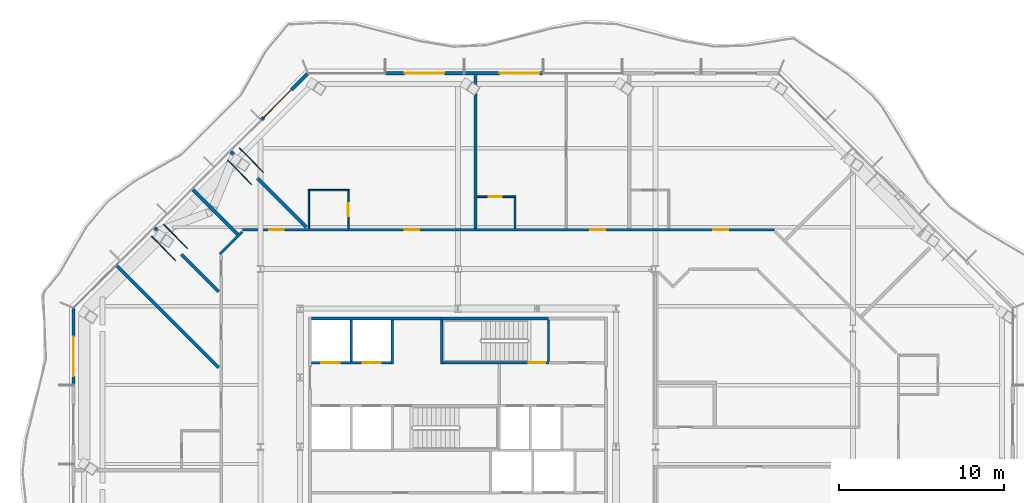
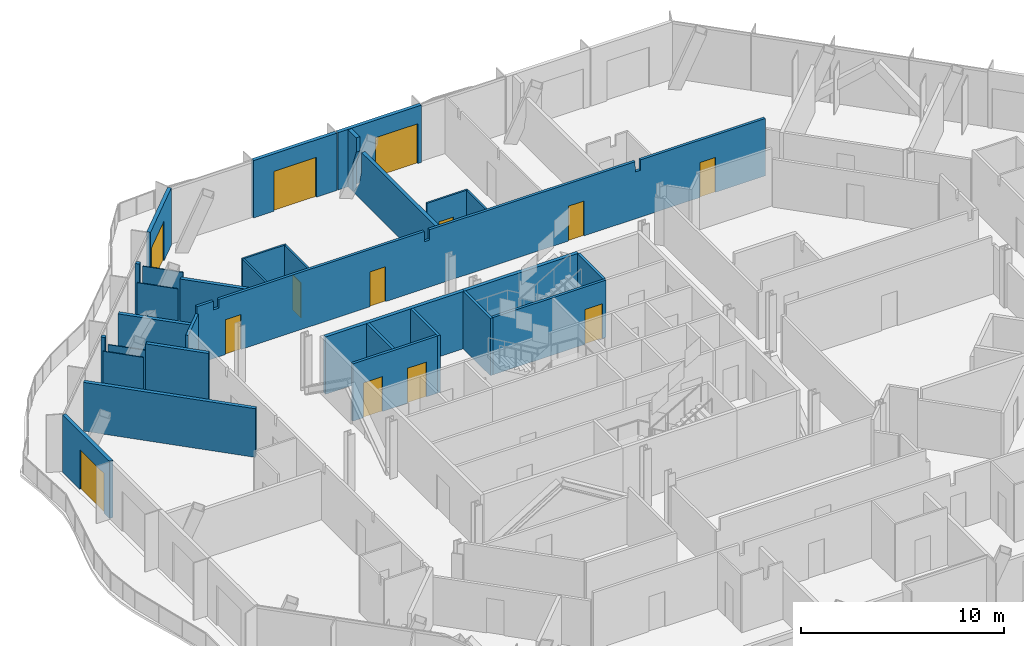
# One storey, part 11 of 19: 31 walls, 13 doors, 13 openings.
"""IFC4 building model written with IfcOpenShell, lengths in metres."""

from ifc_helpers import new_model, si_unit, direction, frame, frame_2d, origin, place, context, subcontext, project, spatial, polyline, rectangle, outline, extrude, material, layer, layer_set, type_object, element, fill, save


model = new_model("IFC4")

# Units and contexts
model_context = context("Model", 3, precision=1e-05, world=origin(), true_north=direction((0.0, 1.0)))
body_context = subcontext(model_context, "Body", "Model", "MODEL_VIEW")
ifc_project = project(units=[si_unit("LENGTHUNIT", "METRE"), si_unit("AREAUNIT", "SQUARE_METRE"), si_unit("VOLUMEUNIT", "CUBIC_METRE"), si_unit("PLANEANGLEUNIT", "RADIAN"), si_unit("MASSUNIT", "GRAM", prefix="KILO")], contexts=[model_context])

# Site, building, storey
site_placement = place(None, origin())
site = spatial("IfcSite", under=ifc_project, at=site_placement, CompositionType="ELEMENT")
building_placement = place(site_placement, origin())
building = spatial("IfcBuilding", under=site, at=building_placement, Name="Cairn Pilgrim Tower", CompositionType="ELEMENT")
storey_placement = place(building_placement, frame((0.0, 0.0, 190.199951171875)))
storey = spatial("IfcBuildingStorey", under=building, at=storey_placement, Name="L48", CompositionType="ELEMENT", Elevation=190.199951171875)

# Wall, opening, door
ifc_material_1 = material(Name="Bronze anodised aluminium insulated sandwich panel with mineral wool fill", Category="aluminium")
ifc_layer_1 = layer(ifc_material_1, 0.199951171875)
ifc_layer_set_1 = layer_set([ifc_layer_1], Name="BRONZE INFILL FRAME WALL 200")
wall_type_1 = type_object("IfcWallType", Name="BRONZE INFILL FRAME WALL 200", PredefinedType="NOTDEFINED", material=ifc_layer_set_1)
wall_1_placement = place(storey_placement, frame((12.344970703125, 25.10009765625, 0.0), z_axis=(0.0, 0.0, 1.0), x_axis=(-1.0, 0.0, 0.0)))
wall_1 = element("IfcWall", 1, at=wall_1_placement, inside=storey, type_object=wall_type_1, Name="Bronze infill frame wall IW-N4", PredefinedType="NOTDEFINED", context=body_context, shape_type="SweptSolid", body=[
    extrude(rectangle(XDim=4.739990234375, YDim=0.199951171875, at=frame_2d((2.3701171875, 0.0))), origin(), (0.0, 0.0, 1.0), 3.449951171875),
])
opening_1_placement = place(wall_1_placement, frame((0.199951171875, 0.0, 0.0)))
opening_1 = element("IfcOpeningElement", 2, at=opening_1_placement, cuts=wall_1, Name="Opening 4810SB", PredefinedType="OPENING", context=body_context, shape_type="SweptSolid", body=[
    extrude(rectangle(XDim=2.39990234375, YDim=2.39990234375, at=frame_2d((1.199951171875, 1.199951171875))), frame((0.0, 0.10986328125, 0.0), z_axis=(0.0, -1.0, 0.0), x_axis=(1.0, 0.0, 0.0)), (0.0, 0.0, 1.0), 0.219970703125),
])
ifc_material_2 = material(Name="Bronze anodised aluminium frame with tinted low-E glass", Category="aluminium")
door_type_1 = type_object("IfcDoorType", Name="BALCONY SLIDING DOOR 2400x2400", OperationType="DOUBLE_DOOR_SLIDING", PredefinedType="DOOR", material=ifc_material_2)
door_1_placement = place(opening_1_placement, origin())
door_1 = element("IfcDoor", 3, at=door_1_placement, inside=storey, type_object=door_type_1, Name="Balcony sliding door 4810SB", OperationType="SINGLE_SWING_LEFT", OverallHeight=2.39990234375, OverallWidth=2.39990234375, PredefinedType="DOOR", context=body_context, shape_type="SweptSolid", body=[
    extrude(rectangle(XDim=2.39990234375, YDim=2.39990234375, at=frame_2d((1.199951171875, 1.199951171875))), frame((0.0, 0.02490234375, 0.0), z_axis=(0.0, -1.0, 0.0), x_axis=(1.0, 0.0, 0.0)), (0.0, 0.0, 1.0), 0.050048828125),
])
fill(opening_1, door_1)

wall_2_placement = place(storey_placement, frame((7.544921875, 25.10009765625, 0.0), z_axis=(0.0, 0.0, 1.0), x_axis=(-1.0, 0.0, 0.0)))
wall_2 = element("IfcWall", 4, at=wall_2_placement, inside=storey, type_object=wall_type_1, Name="Bronze infill frame wall IW-N5", PredefinedType="NOTDEFINED", context=body_context, shape_type="SweptSolid", body=[
    extrude(rectangle(XDim=4.739990234375, YDim=0.199951171875, at=frame_2d((2.3701171875, 0.0))), origin(), (0.0, 0.0, 1.0), 3.449951171875),
])
opening_2_placement = place(wall_2_placement, frame((1.170166015625, 0.0, 0.0)))
opening_2 = element("IfcOpeningElement", 5, at=opening_2_placement, cuts=wall_2, Name="Opening 4811B", PredefinedType="OPENING", context=body_context, shape_type="SweptSolid", body=[
    extrude(rectangle(XDim=2.39990234375, YDim=2.39990234375, at=frame_2d((1.199951171875, 1.199951171875))), frame((0.0, 0.10986328125, 0.0), z_axis=(0.0, -1.0, 0.0), x_axis=(1.0, 0.0, 0.0)), (0.0, 0.0, 1.0), 0.219970703125),
])
door_2_placement = place(opening_2_placement, origin())
door_2 = element("IfcDoor", 6, at=door_2_placement, inside=storey, type_object=door_type_1, Name="Balcony sliding door 4811B", OperationType="SINGLE_SWING_LEFT", OverallHeight=2.39990234375, OverallWidth=2.39990234375, PredefinedType="DOOR", context=body_context, shape_type="SweptSolid", body=[
    extrude(rectangle(XDim=2.39990234375, YDim=2.39990234375, at=frame_2d((1.199951171875, 1.199951171875))), frame((0.0, 0.02490234375, 0.0), z_axis=(0.0, -1.0, 0.0), x_axis=(1.0, 0.0, 0.0)), (0.0, 0.0, 1.0), 0.050048828125),
])
fill(opening_2, door_2)

wall_3_placement = place(storey_placement, frame((-1.94970703125, 25.07177734375, 0.0), z_axis=(0.0, 0.0, 1.0), x_axis=(-0.707106781187, -0.707106781187, 0.0)))
wall_3 = element("IfcWall", 7, at=wall_3_placement, inside=storey, type_object=wall_type_1, Name="Bronze infill frame wall IW-NW1", PredefinedType="NOTDEFINED", context=body_context, shape_type="SweptSolid", body=[
    extrude(rectangle(XDim=3.961669921875, YDim=0.199951171875, at=frame_2d((1.98095703125, 0.0))), origin(), (0.0, 0.0, 1.0), 3.449951171875),
])
opening_3_placement = place(wall_3_placement, frame((1.361572265625, 0.0, 0.0)))
opening_3 = element("IfcOpeningElement", 8, at=opening_3_placement, cuts=wall_3, Name="Opening 4811B2", PredefinedType="OPENING", context=body_context, shape_type="SweptSolid", body=[
    extrude(rectangle(XDim=2.39990234375, YDim=2.39990234375, at=frame_2d((1.199951171875, 1.199951171875))), frame((0.0, 0.10986328125, 0.0), z_axis=(0.0, -1.0, 0.0), x_axis=(1.0, 0.0, 0.0)), (0.0, 0.0, 1.0), 0.219970703125),
])
door_3_placement = place(opening_3_placement, origin())
door_3 = element("IfcDoor", 9, at=door_3_placement, inside=storey, type_object=door_type_1, Name="Balcony sliding door 4811B2", OperationType="SINGLE_SWING_LEFT", OverallHeight=2.39990234375, OverallWidth=2.39990234375, PredefinedType="DOOR", context=body_context, shape_type="SweptSolid", body=[
    extrude(rectangle(XDim=2.39990234375, YDim=2.39990234375, at=frame_2d((1.199951171875, 1.199951171875))), frame((0.0, 0.02490234375, 0.0), z_axis=(0.0, -1.0, 0.0), x_axis=(1.0, 0.0, 0.0)), (0.0, 0.0, 1.0), 0.050048828125),
])
fill(opening_3, door_3)

wall_4_placement = place(storey_placement, frame((-16.175048828125, 10.806396484375, 0.0), z_axis=(0.0, 0.0, 1.0), x_axis=(0.0, -1.0, 0.0)))
wall_4 = element("IfcWall", 10, at=wall_4_placement, inside=storey, type_object=wall_type_1, Name="Bronze infill frame wall IW-W1", PredefinedType="NOTDEFINED", context=body_context, shape_type="SweptSolid", body=[
    extrude(rectangle(XDim=4.62646484375, YDim=0.199951171875, at=frame_2d((2.313232421875, 0.0))), origin(), (0.0, 0.0, 1.0), 3.449951171875),
])
opening_4_placement = place(wall_4_placement, frame((1.70849609375, 0.0, 0.0)))
opening_4 = element("IfcOpeningElement", 11, at=opening_4_placement, cuts=wall_4, Name="Opening 4815B", PredefinedType="OPENING", context=body_context, shape_type="SweptSolid", body=[
    extrude(rectangle(XDim=2.39990234375, YDim=2.39990234375, at=frame_2d((1.199951171875, 1.199951171875))), frame((0.0, 0.10986328125, 0.0), z_axis=(0.0, -1.0, 0.0), x_axis=(1.0, 0.0, 0.0)), (0.0, 0.0, 1.0), 0.219970703125),
])
door_4_placement = place(opening_4_placement, origin())
door_4 = element("IfcDoor", 12, at=door_4_placement, inside=storey, type_object=door_type_1, Name="Balcony sliding door 4815B", OperationType="SINGLE_SWING_LEFT", OverallHeight=2.39990234375, OverallWidth=2.39990234375, PredefinedType="DOOR", context=body_context, shape_type="SweptSolid", body=[
    extrude(rectangle(XDim=2.39990234375, YDim=2.39990234375, at=frame_2d((1.199951171875, 1.199951171875))), frame((0.0, 0.02490234375, 0.0), z_axis=(0.0, -1.0, 0.0), x_axis=(1.0, 0.0, 0.0)), (0.0, 0.0, 1.0), 0.050048828125),
])
fill(opening_4, door_4)

# Wall
ifc_material_3 = material(Name="Concrete C32/40", Category="concrete")
ifc_layer_2 = layer(ifc_material_3, 0.199951171875)
ifc_layer_set_2 = layer_set([ifc_layer_2], Name="CORE OUTER WALL 200 EI 120")
wall_type_2 = type_object("IfcWallType", Name="CORE OUTER WALL 200 EI 120", PredefinedType="SOLIDWALL", material=ifc_layer_set_2)
wall_5_placement = place(storey_placement, frame((-1.699951171875, 10.199951171875, 0.0), z_axis=(0.0, 0.0, 1.0), x_axis=(1.0, 0.0, 0.0)))
element("IfcWall", 13, at=wall_5_placement, inside=storey, type_object=wall_type_2, Name="CW:L48:H12-1", PredefinedType="SOLIDWALL", context=body_context, shape_type="SweptSolid", body=[
    extrude(rectangle(XDim=7.89990234375, YDim=0.199951171875, at=frame_2d((3.949951171875, 0.0))), origin(), (0.0, 0.0, 1.0), 3.449951171875),
])

# Wall, openings, doors
ifc_layer_3 = layer(ifc_material_3, 0.14990234375)
ifc_layer_set_3 = layer_set([ifc_layer_3], Name="CORE SHAFT WALL 150 EI 120")
wall_type_3 = type_object("IfcWallType", Name="CORE SHAFT WALL 150 EI 120", PredefinedType="SOLIDWALL", material=ifc_layer_set_3)
wall_6_placement = place(storey_placement, frame((-1.699951171875, 7.5, 0.0), z_axis=(0.0, 0.0, 1.0), x_axis=(1.0, 0.0, 0.0)))
wall_6 = element("IfcWall", 14, at=wall_6_placement, inside=storey, type_object=wall_type_3, Name="CW:L48:H10", PredefinedType="SOLIDWALL", context=body_context, shape_type="SweptSolid", body=[
    extrude(rectangle(XDim=4.824951171875, YDim=0.14990234375, at=frame_2d((2.41259765625, 0.0))), origin(), (0.0, 0.0, 1.0), 3.449951171875),
])
opening_5_placement = place(wall_6_placement, frame((0.60009765625, 0.0, 0.0)))
opening_5 = element("IfcOpeningElement", 15, at=opening_5_placement, cuts=wall_6, Name="Opening LD-HR3", PredefinedType="OPENING", context=body_context, shape_type="SweptSolid", body=[
    extrude(rectangle(XDim=1.10009765625, YDim=2.10009765625, at=frame_2d((0.550048828125, 1.050048828125))), frame((0.0, 0.0849609375, 0.0), z_axis=(0.0, -1.0, 0.0), x_axis=(1.0, 0.0, 0.0)), (0.0, 0.0, 1.0), 0.169921875),
])
opening_6_placement = place(wall_6_placement, frame((3.10009765625, 0.0, 0.0)))
opening_6 = element("IfcOpeningElement", 16, at=opening_6_placement, cuts=wall_6, Name="Opening LD-HR4", PredefinedType="OPENING", context=body_context, shape_type="SweptSolid", body=[
    extrude(rectangle(XDim=1.10009765625, YDim=2.10009765625, at=frame_2d((0.550048828125, 1.050048828125))), frame((0.0, 0.0849609375, 0.0), z_axis=(0.0, -1.0, 0.0), x_axis=(1.0, 0.0, 0.0)), (0.0, 0.0, 1.0), 0.169921875),
])
ifc_material_4 = material(Name="Stainless steel", Category="steel")
door_type_2 = type_object("IfcDoorType", Name="LIFT LANDING DOOR 1100x2100", OperationType="DOUBLE_DOOR_SLIDING", PredefinedType="DOOR", material=ifc_material_4)
door_5_placement = place(opening_5_placement, origin())
door_5 = element("IfcDoor", 17, at=door_5_placement, inside=storey, type_object=door_type_2, Name="LANDING DOOR HR3", OperationType="DOUBLE_DOOR_SLIDING", OverallHeight=2.10009765625, OverallWidth=1.10009765625, PredefinedType="DOOR", context=body_context, shape_type="SweptSolid", body=[
    extrude(rectangle(XDim=1.10009765625, YDim=2.10009765625, at=frame_2d((0.550048828125, 1.050048828125))), frame((0.0, 0.02490234375, 0.0), z_axis=(0.0, -1.0, 0.0), x_axis=(1.0, 0.0, 0.0)), (0.0, 0.0, 1.0), 0.050048828125),
])
fill(opening_5, door_5)
door_6_placement = place(opening_6_placement, origin())
door_6 = element("IfcDoor", 18, at=door_6_placement, inside=storey, type_object=door_type_2, Name="LANDING DOOR HR4", OperationType="DOUBLE_DOOR_SLIDING", OverallHeight=2.10009765625, OverallWidth=1.10009765625, PredefinedType="DOOR", context=body_context, shape_type="SweptSolid", body=[
    extrude(rectangle(XDim=1.10009765625, YDim=2.10009765625, at=frame_2d((0.550048828125, 1.050048828125))), frame((0.0, 0.02490234375, 0.0), z_axis=(0.0, -1.0, 0.0), x_axis=(1.0, 0.0, 0.0)), (0.0, 0.0, 1.0), 0.050048828125),
])
fill(opening_6, door_6)

# Walls
wall_7_placement = place(storey_placement, frame((0.699951171875, 7.574951171875, 0.0), z_axis=(0.0, 0.0, 1.0), x_axis=(0.0, 1.0, 0.0)))
element("IfcWall", 19, at=wall_7_placement, inside=storey, type_object=wall_type_3, Name="CW:L48:V15", PredefinedType="SOLIDWALL", context=body_context, shape_type="SweptSolid", body=[
    extrude(rectangle(XDim=2.525146484375, YDim=0.14990234375, at=frame_2d((1.2626953125, 0.0))), origin(), (0.0, 0.0, 1.0), 3.449951171875),
])
wall_8_placement = place(storey_placement, frame((3.199951171875, 7.425048828125, 0.0), z_axis=(0.0, 0.0, 1.0), x_axis=(0.0, 1.0, 0.0)))
element("IfcWall", 20, at=wall_8_placement, inside=storey, type_object=wall_type_3, Name="CW:L48:V17", PredefinedType="SOLIDWALL", context=body_context, shape_type="SweptSolid", body=[
    extrude(rectangle(XDim=2.675048828125, YDim=0.14990234375, at=frame_2d((1.33740234375, 0.0))), origin(), (0.0, 0.0, 1.0), 3.449951171875),
])
ifc_material_5 = material(Name="Gypsum partition")
ifc_layer_4 = layer(ifc_material_5, 0.10009765625)
ifc_layer_set_4 = layer_set([ifc_layer_4], Name="PARTITION 100 DRYWALL")
wall_type_4 = type_object("IfcWallType", Name="PARTITION 100 DRYWALL", PredefinedType="PARTITIONING", material=ifc_layer_set_4)
wall_9_placement = place(storey_placement, frame((-1.863037109375, 15.675048828125, 0.0), z_axis=(0.0, 0.0, 1.0), x_axis=(0.0, 1.0, 0.0)))
element("IfcWall", 21, at=wall_9_placement, inside=storey, type_object=wall_type_4, Name="PARTITION W083", PredefinedType="PARTITIONING", context=body_context, shape_type="SweptSolid", body=[
    extrude(rectangle(XDim=2.27490234375, YDim=0.10009765625, at=frame_2d((1.137451171875, 0.0))), origin(), (0.0, 0.0, 1.0), 3.449951171875),
])

# Wall, opening, door
wall_10_placement = place(storey_placement, frame((0.537109375, 15.675048828125, 0.0), z_axis=(0.0, 0.0, 1.0), x_axis=(0.0, 1.0, 0.0)))
wall_10 = element("IfcWall", 22, at=wall_10_placement, inside=storey, type_object=wall_type_4, Name="PARTITION W084", PredefinedType="PARTITIONING", context=body_context, shape_type="SweptSolid", body=[
    extrude(rectangle(XDim=2.27490234375, YDim=0.10009765625, at=frame_2d((1.137451171875, 0.0))), origin(), (0.0, 0.0, 1.0), 3.449951171875),
])
opening_7_placement = place(wall_10_placement, frame((0.72509765625, 0.0, 0.0)))
opening_7 = element("IfcOpeningElement", 23, at=opening_7_placement, cuts=wall_10, Name="Opening 4811A", PredefinedType="OPENING", context=body_context, shape_type="SweptSolid", body=[
    extrude(rectangle(XDim=0.800048828125, YDim=2.10009765625, at=frame_2d((0.39990234375, 1.050048828125))), frame((0.0, 0.06005859375, 0.0), z_axis=(0.0, -1.0, 0.0), x_axis=(1.0, 0.0, 0.0)), (0.0, 0.0, 1.0), 0.1201171875),
])
ifc_material_6 = material(Name="Timber door leaf", Category="wood")
door_type_3 = type_object("IfcDoorType", Name="WC DOOR 800x2100", OperationType="NOTDEFINED", PredefinedType="DOOR", material=ifc_material_6)
door_7_placement = place(opening_7_placement, frame((0.800048828125, 0.0, 0.0), z_axis=(0.0, 0.0, 1.0), x_axis=(-1.0, 0.0, 0.0)))
door_7 = element("IfcDoor", 24, at=door_7_placement, inside=storey, type_object=door_type_3, Name="DOOR 4811A", OperationType="SINGLE_SWING_LEFT", OverallHeight=2.10009765625, OverallWidth=0.800048828125, PredefinedType="DOOR", context=body_context, shape_type="SweptSolid", body=[
    extrude(rectangle(XDim=0.800048828125, YDim=2.10009765625, at=frame_2d((0.39990234375, 1.050048828125))), frame((0.0, 0.02490234375, 0.0), z_axis=(0.0, -1.0, 0.0), x_axis=(1.0, 0.0, 0.0)), (0.0, 0.0, 1.0), 0.050048828125),
])
fill(opening_7, door_7)

# Wall
wall_11_placement = place(storey_placement, frame((10.662109375, 15.675048828125, 0.0), z_axis=(0.0, 0.0, 1.0), x_axis=(0.0, 1.0, 0.0)))
element("IfcWall", 25, at=wall_11_placement, inside=storey, type_object=wall_type_4, Name="PARTITION W086", PredefinedType="PARTITIONING", context=body_context, shape_type="SweptSolid", body=[
    extrude(rectangle(XDim=1.875, YDim=0.10009765625, at=frame_2d((0.9375, 0.0))), origin(), (0.0, 0.0, 1.0), 3.449951171875),
])

# Wall, opening, door
wall_12_placement = place(storey_placement, frame((8.362060546875, 17.60009765625, 0.0), z_axis=(0.0, 0.0, 1.0), x_axis=(1.0, 0.0, 0.0)))
wall_12 = element("IfcWall", 26, at=wall_12_placement, inside=storey, type_object=wall_type_4, Name="PARTITION W090", PredefinedType="PARTITIONING", context=body_context, shape_type="SweptSolid", body=[
    extrude(rectangle(XDim=2.349853515625, YDim=0.10009765625, at=frame_2d((1.1748046875, 0.0))), origin(), (0.0, 0.0, 1.0), 3.449951171875),
])
opening_8_placement = place(wall_12_placement, frame((0.699951171875, 0.0, 0.0)))
opening_8 = element("IfcOpeningElement", 27, at=opening_8_placement, cuts=wall_12, Name="Opening 4810A", PredefinedType="OPENING", context=body_context, shape_type="SweptSolid", body=[
    extrude(rectangle(XDim=0.800048828125, YDim=2.10009765625, at=frame_2d((0.39990234375, 1.050048828125))), frame((0.0, 0.06005859375, 0.0), z_axis=(0.0, -1.0, 0.0), x_axis=(1.0, 0.0, 0.0)), (0.0, 0.0, 1.0), 0.1201171875),
])
door_8_placement = place(opening_8_placement, origin())
door_8 = element("IfcDoor", 28, at=door_8_placement, inside=storey, type_object=door_type_3, Name="DOOR 4810A", OperationType="SINGLE_SWING_LEFT", OverallHeight=2.10009765625, OverallWidth=0.800048828125, PredefinedType="DOOR", context=body_context, shape_type="SweptSolid", body=[
    extrude(rectangle(XDim=0.800048828125, YDim=2.10009765625, at=frame_2d((0.39990234375, 1.050048828125))), frame((0.0, 0.02490234375, 0.0), z_axis=(0.0, -1.0, 0.0), x_axis=(1.0, 0.0, 0.0)), (0.0, 0.0, 1.0), 0.050048828125),
])
fill(opening_8, door_8)

# Walls
wall_13_placement = place(storey_placement, frame((-1.9130859375, 18.0, 0.0), z_axis=(0.0, 0.0, 1.0), x_axis=(1.0, 0.0, 0.0)))
element("IfcWall", 29, at=wall_13_placement, inside=storey, type_object=wall_type_4, Name="PARTITION W091", PredefinedType="PARTITIONING", context=body_context, shape_type="SweptSolid", body=[
    extrude(rectangle(XDim=2.5, YDim=0.10009765625, at=frame_2d((1.25, 0.0))), origin(), (0.0, 0.0, 1.0), 3.449951171875),
])
ifc_layer_5 = layer(ifc_material_5, 0.14990234375)
ifc_layer_set_5 = layer_set([ifc_layer_5], Name="PARTITION 150 DRYWALL EI 60")
wall_type_5 = type_object("IfcWallType", Name="PARTITION 150 DRYWALL EI 60", PredefinedType="PARTITIONING", material=ifc_layer_set_5)
wall_14_placement = place(storey_placement, frame((-7.27490234375, 14.118896484375, 0.0), z_axis=(0.0, 0.0, 1.0), x_axis=(0.707042977282, 0.707170579335, 0.0)))
element("IfcWall", 30, at=wall_14_placement, inside=storey, type_object=wall_type_5, Name="PARTITION W076", PredefinedType="PARTITIONING", context=body_context, shape_type="SweptSolid", body=[
    extrude(rectangle(XDim=1.913330078125, YDim=0.14990234375, at=frame_2d((0.95654296875, 0.0))), origin(), (0.0, 0.0, 1.0), 3.070068359375),
])

# Wall, openings, doors
wall_15_placement = place(storey_placement, frame((-5.900146484375, 15.60009765625, 0.0), z_axis=(0.0, 0.0, 1.0), x_axis=(1.0, 0.0, 0.0)))
wall_15 = element("IfcWall", 31, at=wall_15_placement, inside=storey, type_object=wall_type_5, Name="PARTITION W081", PredefinedType="PARTITIONING", context=body_context, shape_type="SweptSolid", body=[
    extrude(outline(polyline([(0.0, 0.0), (32.348876953125, 0.0), (32.348876953125, 3.449951171875), (25.25, 3.449951171875), (25.248046875, 2.830078125), (24.9501953125, 2.830078125), (24.947998046875, 3.449951171875), (13.25, 3.449951171875), (13.248046875, 2.830078125), (12.9501953125, 2.830078125), (12.947998046875, 3.449951171875), (1.25, 3.449951171875), (1.248046875, 2.929931640625), (0.9501953125, 2.929931640625), (0.947998046875, 3.449951171875), (0.0, 3.449951171875), (0.0, 0.0)])), frame((0.0, 0.074951171875, 0.0), z_axis=(0.0, -1.0, 0.0), x_axis=(1.0, 0.0, 0.0)), (0.0, 0.0, 1.0), 0.14990234375),
])
opening_9_placement = place(wall_15_placement, frame((28.628173828125, 0.0, 0.0)))
opening_9 = element("IfcOpeningElement", 32, at=opening_9_placement, cuts=wall_15, Name="Opening 4809", PredefinedType="OPENING", context=body_context, shape_type="SweptSolid", body=[
    extrude(rectangle(XDim=0.89990234375, YDim=2.10009765625, at=frame_2d((0.449951171875, 1.050048828125))), frame((0.0, 0.0849609375, 0.0), z_axis=(0.0, -1.0, 0.0), x_axis=(1.0, 0.0, 0.0)), (0.0, 0.0, 1.0), 0.169921875),
])
opening_10_placement = place(wall_15_placement, frame((21.14599609375, 0.0, 0.0)))
opening_10 = element("IfcOpeningElement", 33, at=opening_10_placement, cuts=wall_15, Name="Opening 4810", PredefinedType="OPENING", context=body_context, shape_type="SweptSolid", body=[
    extrude(rectangle(XDim=0.89990234375, YDim=2.10009765625, at=frame_2d((0.449951171875, 1.050048828125))), frame((0.0, 0.0849609375, 0.0), z_axis=(0.0, -1.0, 0.0), x_axis=(1.0, 0.0, 0.0)), (0.0, 0.0, 1.0), 0.169921875),
])
opening_11_placement = place(wall_15_placement, frame((9.84912109375, 0.0, 0.0)))
opening_11 = element("IfcOpeningElement", 34, at=opening_11_placement, cuts=wall_15, Name="Opening 4811", PredefinedType="OPENING", context=body_context, shape_type="SweptSolid", body=[
    extrude(rectangle(XDim=0.89990234375, YDim=2.10009765625, at=frame_2d((0.449951171875, 1.050048828125))), frame((0.0, 0.0849609375, 0.0), z_axis=(0.0, -1.0, 0.0), x_axis=(1.0, 0.0, 0.0)), (0.0, 0.0, 1.0), 0.169921875),
])
opening_12_placement = place(wall_15_placement, frame((1.62109375, 0.0, 0.0)))
opening_12 = element("IfcOpeningElement", 35, at=opening_12_placement, cuts=wall_15, Name="Opening 4812", PredefinedType="OPENING", context=body_context, shape_type="SweptSolid", body=[
    extrude(rectangle(XDim=0.89990234375, YDim=2.10009765625, at=frame_2d((0.449951171875, 1.050048828125))), frame((0.0, 0.0849609375, 0.0), z_axis=(0.0, -1.0, 0.0), x_axis=(1.0, 0.0, 0.0)), (0.0, 0.0, 1.0), 0.169921875),
])
door_type_4 = type_object("IfcDoorType", Name="ROOM DOOR 900x2100 FD30S", OperationType="NOTDEFINED", PredefinedType="DOOR", material=ifc_material_6)
door_9_placement = place(opening_9_placement, origin())
door_9 = element("IfcDoor", 36, at=door_9_placement, inside=storey, type_object=door_type_4, Name="DOOR 4809", OperationType="SINGLE_SWING_RIGHT", OverallHeight=2.10009765625, OverallWidth=0.89990234375, PredefinedType="DOOR", context=body_context, shape_type="SweptSolid", body=[
    extrude(rectangle(XDim=0.89990234375, YDim=2.10009765625, at=frame_2d((0.449951171875, 1.050048828125))), frame((0.0, 0.02490234375, 0.0), z_axis=(0.0, -1.0, 0.0), x_axis=(1.0, 0.0, 0.0)), (0.0, 0.0, 1.0), 0.050048828125),
])
fill(opening_9, door_9)
door_10_placement = place(opening_10_placement, origin())
door_10 = element("IfcDoor", 37, at=door_10_placement, inside=storey, type_object=door_type_4, Name="DOOR 4810", OperationType="SINGLE_SWING_LEFT", OverallHeight=2.10009765625, OverallWidth=0.89990234375, PredefinedType="DOOR", context=body_context, shape_type="SweptSolid", body=[
    extrude(rectangle(XDim=0.89990234375, YDim=2.10009765625, at=frame_2d((0.449951171875, 1.050048828125))), frame((0.0, 0.02490234375, 0.0), z_axis=(0.0, -1.0, 0.0), x_axis=(1.0, 0.0, 0.0)), (0.0, 0.0, 1.0), 0.050048828125),
])
fill(opening_10, door_10)
door_11_placement = place(opening_11_placement, origin())
door_11 = element("IfcDoor", 38, at=door_11_placement, inside=storey, type_object=door_type_4, Name="DOOR 4811", OperationType="SINGLE_SWING_LEFT", OverallHeight=2.10009765625, OverallWidth=0.89990234375, PredefinedType="DOOR", context=body_context, shape_type="SweptSolid", body=[
    extrude(rectangle(XDim=0.89990234375, YDim=2.10009765625, at=frame_2d((0.449951171875, 1.050048828125))), frame((0.0, 0.02490234375, 0.0), z_axis=(0.0, -1.0, 0.0), x_axis=(1.0, 0.0, 0.0)), (0.0, 0.0, 1.0), 0.050048828125),
])
fill(opening_11, door_11)
door_type_5 = type_object("IfcDoorType", Name="SERVICE DOOR 900x2100 FD30S", OperationType="NOTDEFINED", PredefinedType="DOOR", material=ifc_material_6)
door_12_placement = place(opening_12_placement, origin())
door_12 = element("IfcDoor", 39, at=door_12_placement, inside=storey, type_object=door_type_5, Name="DOOR 4812", OperationType="SINGLE_SWING_LEFT", OverallHeight=2.10009765625, OverallWidth=0.89990234375, PredefinedType="DOOR", context=body_context, shape_type="SweptSolid", body=[
    extrude(rectangle(XDim=0.89990234375, YDim=2.10009765625, at=frame_2d((0.449951171875, 1.050048828125))), frame((0.0, 0.02490234375, 0.0), z_axis=(0.0, -1.0, 0.0), x_axis=(1.0, 0.0, 0.0)), (0.0, 0.0, 1.0), 0.050048828125),
])
fill(opening_12, door_12)

# Walls
ifc_layer_6 = layer(ifc_material_5, 0.050048828125)
ifc_layer_set_6 = layer_set([ifc_layer_6], Name="PARTITION 50 DRYWALL EI 60")
wall_type_6 = type_object("IfcWallType", Name="PARTITION 50 DRYWALL EI 60", PredefinedType="PARTITIONING", material=ifc_layer_set_6)
wall_16_placement = place(storey_placement, frame((-9.9697265625, 13.72998046875, 0.0), z_axis=(0.0, 0.0, 1.0), x_axis=(-0.707047867895, 0.70716568957, 0.0)))
element("IfcWall", 40, at=wall_16_placement, inside=storey, type_object=wall_type_6, Name="COLUMN CASING WC18", PredefinedType="PARTITIONING", context=body_context, shape_type="SweptSolid", body=[
    extrude(rectangle(XDim=2.072021484375, YDim=0.050048828125, at=frame_2d((1.0361328125, 0.0))), origin(), (0.0, 0.0, 1.0), 2.929931640625),
])
for number, where, z_axis, x_axis, name in (
    (41, (-9.24169921875, 14.457763671875, 0.0), (0.0, 0.0, 1.0), (-0.707047867895, 0.70716568957, 0.0), "COLUMN CASING WC19"),
    (42, (-5.34521484375, 18.354248046875, 0.0), (0.0, 0.0, 1.0), (-0.707106781187, 0.707106781187, 0.0), "COLUMN CASING WC23"),
):
    element("IfcWall", number, at=place(storey_placement, frame(where, z_axis=z_axis, x_axis=x_axis)), inside=storey, type_object=wall_type_6, Name=name, PredefinedType="PARTITIONING", context=body_context, shape_type="SweptSolid", body=[
        extrude(rectangle(XDim=2.072021484375, YDim=0.050048828125, at=frame_2d((1.0361328125, 0.0))), origin(), (0.0, 0.0, 1.0), 2.630126953125),
    ])
wall_17_placement = place(storey_placement, frame((-4.61767578125, 19.08203125, 0.0), z_axis=(0.0, 0.0, 1.0), x_axis=(-0.707106781187, 0.707106781187, 0.0)))
element("IfcWall", 43, at=wall_17_placement, inside=storey, type_object=wall_type_6, Name="COLUMN CASING WC24", PredefinedType="PARTITIONING", context=body_context, shape_type="SweptSolid", body=[
    extrude(rectangle(XDim=2.072021484375, YDim=0.050048828125, at=frame_2d((1.0361328125, 0.0))), origin(), (0.0, 0.0, 1.0), 2.929931640625),
])
ifc_layer_7 = layer(ifc_material_5, 0.199951171875)
ifc_layer_set_7 = layer_set([ifc_layer_7], Name="SHAFT WALL 200 GYPSUM EI 60")
wall_type_7 = type_object("IfcWallType", Name="SHAFT WALL 200 GYPSUM EI 60", PredefinedType="PARTITIONING", material=ifc_layer_set_7)
wall_18_placement = place(storey_placement, frame((-7.345703125, 7.209716796875, 0.0), z_axis=(0.0, 0.0, 1.0), x_axis=(-0.707106781187, 0.707106781187, 0.0)))
element("IfcWall", 44, at=wall_18_placement, inside=storey, type_object=wall_type_7, Name="PARTITION W067", PredefinedType="PARTITIONING", context=body_context, shape_type="SweptSolid", body=[
    extrude(rectangle(XDim=8.767822265625, YDim=0.199951171875, at=frame_2d((4.3837890625, 0.0))), origin(), (0.0, 0.0, 1.0), 2.929931640625),
])
wall_19_placement = place(storey_placement, frame((-7.345703125, 11.833740234375, 0.0), z_axis=(0.0, 0.0, 1.0), x_axis=(-0.707030390891, 0.707183163231, 0.0)))
element("IfcWall", 45, at=wall_19_placement, inside=storey, type_object=wall_type_7, Name="PARTITION W072", PredefinedType="PARTITIONING", context=body_context, shape_type="SweptSolid", body=[
    extrude(rectangle(XDim=3.196044921875, YDim=0.199951171875, at=frame_2d((1.59814453125, 0.0))), origin(), (0.0, 0.0, 1.0), 3.449951171875),
])
wall_20_placement = place(storey_placement, frame((-6.194091796875, 15.30615234375, 0.0), z_axis=(0.0, 0.0, 1.0), x_axis=(-0.706979752216, 0.707233787341, 0.0)))
element("IfcWall", 46, at=wall_20_placement, inside=storey, type_object=wall_type_7, Name="PARTITION W079", PredefinedType="PARTITIONING", context=body_context, shape_type="SweptSolid", body=[
    extrude(rectangle(XDim=3.84423828125, YDim=0.199951171875, at=frame_2d((1.922119140625, 0.0))), origin(), (0.0, 0.0, 1.0), 2.630126953125),
])
wall_21_placement = place(storey_placement, frame((-11.070556640625, 15.559326171875, 0.0), z_axis=(0.0, 0.0, 1.0), x_axis=(-0.706544022376, 0.707669092475, 0.0)))
element("IfcWall", 47, at=wall_21_placement, inside=storey, type_object=wall_type_7, Name="PARTITION W080", PredefinedType="PARTITIONING", context=body_context, shape_type="SweptSolid", body=[
    extrude(rectangle(XDim=0.217041015625, YDim=0.199951171875, at=frame_2d((0.1083984375, 0.0))), origin(), (0.0, 0.0, 1.0), 3.449951171875),
])
wall_22_placement = place(storey_placement, frame((-2.0087890625, 15.74560546875, 0.0), z_axis=(0.0, 0.0, 1.0), x_axis=(-0.70707774249, 0.707135818691, 0.0)))
element("IfcWall", 48, at=wall_22_placement, inside=storey, type_object=wall_type_7, Name="PARTITION W082", PredefinedType="PARTITIONING", context=body_context, shape_type="SweptSolid", body=[
    extrude(rectangle(XDim=4.203857421875, YDim=0.199951171875, at=frame_2d((2.10205078125, 0.0))), origin(), (0.0, 0.0, 1.0), 2.929931640625),
])
wall_23_placement = place(storey_placement, frame((8.261962890625, 15.675048828125, 0.0), z_axis=(0.0, 0.0, 1.0), x_axis=(0.0, 1.0, 0.0)))
element("IfcWall", 49, at=wall_23_placement, inside=storey, type_object=wall_type_7, Name="PARTITION W085", PredefinedType="PARTITIONING", context=body_context, shape_type="SweptSolid", body=[
    extrude(outline(polyline([(0.0, 0.0), (8.789794921875, 0.0), (8.205810546875, 0.862548828125), (7.97265625, 1.72509765625), (7.97265625, 2.587646484375), (7.97265625, 2.880126953125), (0.0, 2.880126953125), (0.0, 2.587646484375), (0.0, 1.72509765625), (0.0, 0.862548828125), (0.0, 0.0)])), frame((0.0, 0.10009765625, 0.0), z_axis=(0.0, -1.0, 0.0), x_axis=(1.0, 0.0, 0.0)), (0.0, 0.0, 1.0), 0.199951171875),
])
wall_24_placement = place(storey_placement, frame((-6.4462890625, 20.183349609375, 0.0), z_axis=(0.0, 0.0, 1.0), x_axis=(-0.707106781187, 0.707106781187, 0.0)))
element("IfcWall", 50, at=wall_24_placement, inside=storey, type_object=wall_type_7, Name="PARTITION W093", PredefinedType="PARTITIONING", context=body_context, shape_type="SweptSolid", body=[
    extrude(rectangle(XDim=0.21728515625, YDim=0.199951171875, at=frame_2d((0.108642578125, 0.0))), origin(), (0.0, 0.0, 1.0), 3.449951171875),
])
wall_25_placement = place(storey_placement, frame((8.261962890625, 24.168212890625, 0.0), z_axis=(0.0, 0.0, 1.0), x_axis=(0.0, 1.0, 0.0)))
element("IfcWall", 51, at=wall_25_placement, inside=storey, type_object=wall_type_7, Name="PARTITION W094", PredefinedType="PARTITIONING", context=body_context, shape_type="SweptSolid", body=[
    extrude(outline(polyline([(0.333740234375, 0.0), (0.8017578125, 0.0), (0.8017578125, 0.862548828125), (0.8017578125, 1.72509765625), (0.8017578125, 2.587646484375), (0.8017578125, 3.449951171875), (0.0, 3.449951171875), (0.0, 2.587646484375), (0.318603515625, 1.72509765625), (0.333740234375, 0.862548828125), (0.333740234375, 0.0)])), frame((0.0, 0.10009765625, 0.0), z_axis=(0.0, -1.0, 0.0), x_axis=(1.0, 0.0, 0.0)), (0.0, 0.0, 1.0), 0.199951171875),
])

# Wall, opening, door
ifc_material_7 = material(Name="Concrete C35/45", Category="concrete")
ifc_layer_8 = layer(ifc_material_7, 0.14990234375)
ifc_layer_set_8 = layer_set([ifc_layer_8], Name="STAIR SHAFT WALL 150 EI 120")
wall_type_8 = type_object("IfcWallType", Name="STAIR SHAFT WALL 150 EI 120", PredefinedType="SOLIDWALL", material=ifc_layer_set_8)
wall_26_placement = place(storey_placement, frame((6.27490234375, 7.5, 0.0), z_axis=(0.0, 0.0, 1.0), x_axis=(1.0, 0.0, 0.0)))
wall_26 = element("IfcWall", 52, at=wall_26_placement, inside=storey, type_object=wall_type_8, Name="CW:L48:H11-1", PredefinedType="SOLIDWALL", context=body_context, shape_type="SweptSolid", body=[
    extrude(rectangle(XDim=6.425048828125, YDim=0.14990234375, at=frame_2d((3.21240234375, 0.0))), origin(), (0.0, 0.0, 1.0), 3.449951171875),
])
opening_13_placement = place(wall_26_placement, frame((5.22509765625, 0.0, 0.0)))
opening_13 = element("IfcOpeningElement", 53, at=opening_13_placement, cuts=wall_26, Name="Opening SD-C", PredefinedType="OPENING", context=body_context, shape_type="SweptSolid", body=[
    extrude(rectangle(XDim=1.0, YDim=2.10009765625, at=frame_2d((0.5, 1.050048828125))), frame((0.0, 0.0849609375, 0.0), z_axis=(0.0, -1.0, 0.0), x_axis=(1.0, 0.0, 0.0)), (0.0, 0.0, 1.0), 0.169921875),
])
ifc_material_8 = material(Name="Painted steel", Category="steel")
door_type_6 = type_object("IfcDoorType", Name="STAIR DOOR FD60S 1000x2100", OperationType="SINGLE_SWING_LEFT", PredefinedType="DOOR", material=ifc_material_8)
door_13_placement = place(opening_13_placement, origin())
door_13 = element("IfcDoor", 54, at=door_13_placement, inside=storey, type_object=door_type_6, Name="SD-C", OperationType="SINGLE_SWING_LEFT", OverallHeight=2.10009765625, OverallWidth=1.0, PredefinedType="DOOR", context=body_context, shape_type="SweptSolid", body=[
    extrude(rectangle(XDim=1.0, YDim=2.10009765625, at=frame_2d((0.5, 1.050048828125))), frame((0.0, 0.02490234375, 0.0), z_axis=(0.0, -1.0, 0.0), x_axis=(1.0, 0.0, 0.0)), (0.0, 0.0, 1.0), 0.050048828125),
])
fill(opening_13, door_13)

# Walls
wall_27_placement = place(storey_placement, frame((6.199951171875, 7.425048828125, 0.0), z_axis=(0.0, 0.0, 1.0), x_axis=(0.0, 1.0, 0.0)))
element("IfcWall", 55, at=wall_27_placement, inside=storey, type_object=wall_type_8, Name="CW:L48:V19", PredefinedType="SOLIDWALL", context=body_context, shape_type="SweptSolid", body=[
    extrude(rectangle(XDim=2.675048828125, YDim=0.14990234375, at=frame_2d((1.33740234375, 0.0))), origin(), (0.0, 0.0, 1.0), 3.449951171875),
])
wall_28_placement = place(storey_placement, frame((12.699951171875, 7.574951171875, 0.0), z_axis=(0.0, 0.0, 1.0), x_axis=(0.0, 1.0, 0.0)))
element("IfcWall", 56, at=wall_28_placement, inside=storey, type_object=wall_type_8, Name="CW:L48:V26", PredefinedType="SOLIDWALL", context=body_context, shape_type="SweptSolid", body=[
    extrude(rectangle(XDim=2.525146484375, YDim=0.14990234375, at=frame_2d((1.2626953125, 0.0))), origin(), (0.0, 0.0, 1.0), 3.449951171875),
])
ifc_layer_9 = layer(ifc_material_7, 0.199951171875)
ifc_layer_set_9 = layer_set([ifc_layer_9], Name="STAIR SHAFT WALL 200 EI 120")
wall_type_9 = type_object("IfcWallType", Name="STAIR SHAFT WALL 200 EI 120", PredefinedType="SOLIDWALL", material=ifc_layer_set_9)
wall_29_placement = place(storey_placement, frame((6.199951171875, 10.199951171875, 0.0), z_axis=(0.0, 0.0, 1.0), x_axis=(1.0, 0.0, 0.0)))
element("IfcWall", 57, at=wall_29_placement, inside=storey, type_object=wall_type_9, Name="CW:L48:H12-2", PredefinedType="SOLIDWALL", context=body_context, shape_type="SweptSolid", body=[
    extrude(rectangle(XDim=6.5, YDim=0.199951171875, at=frame_2d((3.25, 0.0))), origin(), (0.0, 0.0, 1.0), 3.449951171875),
])

save(model, "model.ifc")
